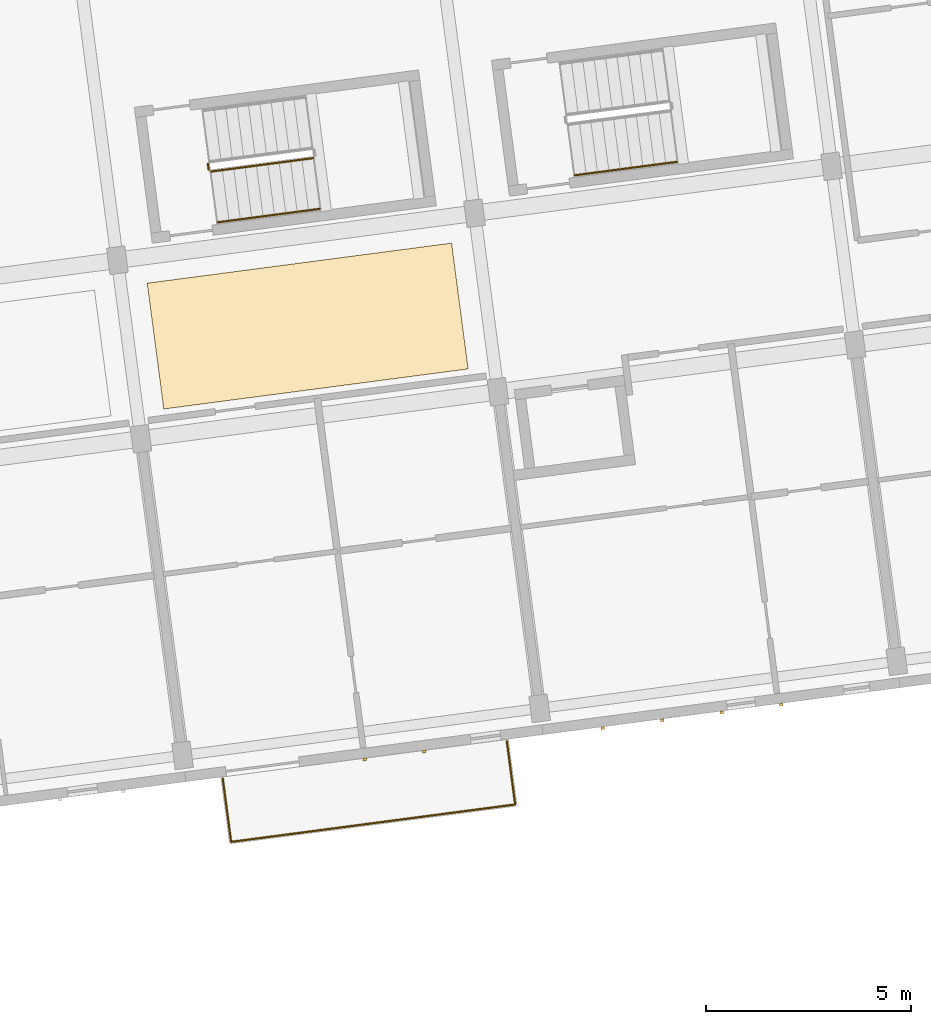
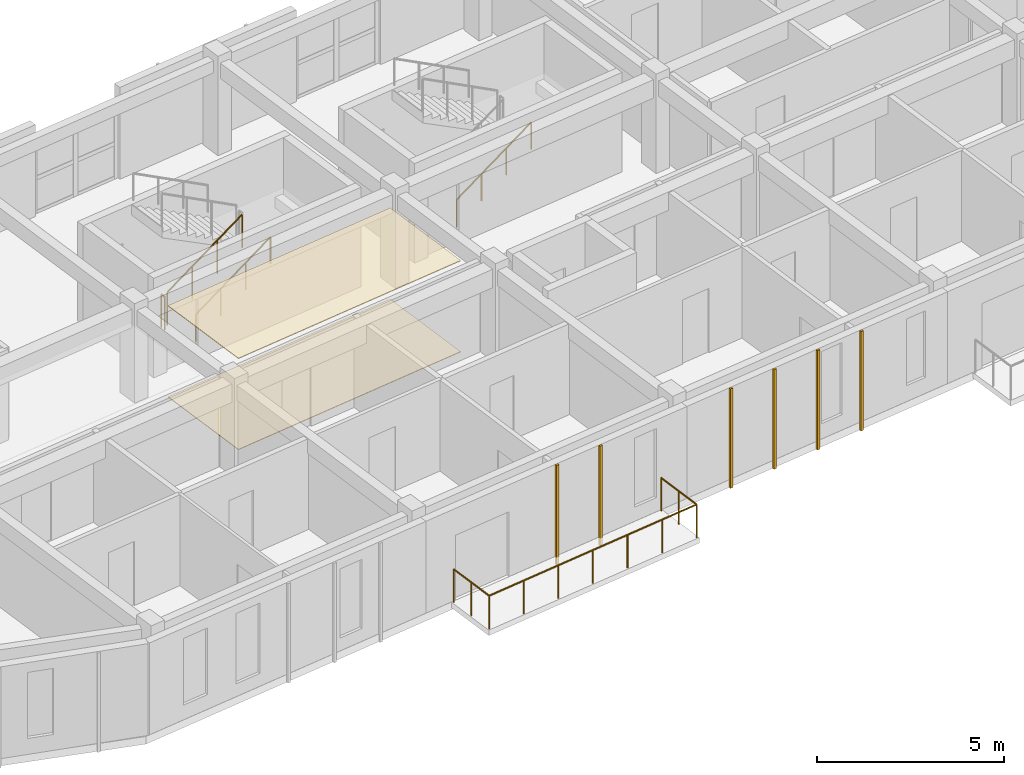
# One storey, part 32 of 45: 8 coverings, 5 railings.
"""IFC4 building model written with IfcOpenShell, lengths in metres."""

from ifc_helpers import new_model, si_unit, direction, frame, origin, origin_2d, place, context, subcontext, project, spatial, polyline, rectangle, circle, outline, extrude, material, layer, layer_set, type_object, element, save


model = new_model("IFC4")

# Units and contexts
model_context = context("Model", 3, precision=1e-05, world=origin(), true_north=direction((0.0, 1.0)))
body_context = subcontext(model_context, "Body", "Model", "MODEL_VIEW")
ifc_project = project(units=[si_unit("LENGTHUNIT", "METRE"), si_unit("AREAUNIT", "SQUARE_METRE"), si_unit("VOLUMEUNIT", "CUBIC_METRE"), si_unit("PLANEANGLEUNIT", "RADIAN"), si_unit("MASSUNIT", "GRAM", prefix="KILO")], contexts=[model_context])

# Site, building, storey
site_placement = place(None, origin())
site = spatial("IfcSite", under=ifc_project, at=site_placement, CompositionType="ELEMENT")
building_placement = place(site_placement, origin())
building = spatial("IfcBuilding", under=site, at=building_placement, Name="Kestramere Prow Commons", CompositionType="ELEMENT")
storey_placement = place(building_placement, frame((0.0, 0.0, 31.14990234375)))
storey = spatial("IfcBuildingStorey", under=building, at=storey_placement, Name="L09", CompositionType="ELEMENT", Elevation=31.14990234375)

# Coverings
ifc_material_1 = material(Name="Mineral Fibre Acoustic Ceiling Tile")
ifc_layer_1 = layer(ifc_material_1, 0.02490234375)
ifc_layer_set_1 = layer_set([ifc_layer_1], Name="Mineral Fibre Acoustic Ceiling Tile")
covering_type_1 = type_object("IfcCoveringType", Name="COV-CEIL-ACOUSTIC", PredefinedType="CEILING", material=ifc_layer_set_1)
covering_1_placement = place(storey_placement, frame((0.0, 0.0, 2.97509765625)))
element("IfcCovering", 1, at=covering_1_placement, inside=storey, type_object=covering_type_1, Name="Block A L09 Corridor Acoustic Ceiling 2", PredefinedType="CEILING", context=body_context, shape_type="SweptSolid", body=[
    extrude(outline(polyline([(19.46630859375, 81.611083984375), (26.902099609375, 82.590087890625), (26.497314453125, 85.66357421875), (19.0615234375, 84.6845703125), (19.46630859375, 81.611083984375)])), origin(), (0.0, 0.0, 1.0), 0.02490234375),
])
ifc_material_2 = material(Name="Weathered Zinc-Titanium Standing-Seam Cladding")
ifc_layer_2 = layer(ifc_material_2, 0.074951171875)
ifc_layer_set_2 = layer_set([ifc_layer_2], Name="Weathered Zinc-Titanium Standing-Seam Cladding")
covering_type_2 = type_object("IfcCoveringType", Name="COV-CLAD-SEAM", PredefinedType="CLADDING", material=ifc_layer_set_2)
for number, where, z_axis, x_axis, name in (
    (2, (25.82958984375, 73.24267578125, -0.25), (0.0, 0.0, 1.0), (-0.991444861374, -0.13052619222, 0.0), "EW-A-L09-S-1 Standing-Seam Rib 2"),
    (3, (24.37548828125, 73.05126953125, -0.25), (0.0, 0.0, 1.0), (-0.991444861374, -0.13052619222, 0.0), "EW-A-L09-S-1 Standing-Seam Rib 3"),
    (4, (34.554443359375, 74.391357421875, -0.25), (0.0, 0.0, 1.0), (-0.991444861374, -0.13052619222, 0.0), "EW-A-L09-S-2 Standing-Seam Rib 2"),
    (5, (33.100341796875, 74.199951171875, -0.25), (0.0, 0.0, 1.0), (-0.991444861374, -0.13052619222, 0.0), "EW-A-L09-S-2 Standing-Seam Rib 3"),
    (6, (31.64599609375, 74.008544921875, -0.25), (0.0, 0.0, 1.0), (-0.991444861374, -0.13052619222, 0.0), "EW-A-L09-S-2 Standing-Seam Rib 4"),
    (7, (30.19189453125, 73.81689453125, -0.25), (0.0, 0.0, 1.0), (-0.991444861374, -0.13052619222, 0.0), "EW-A-L09-S-2 Standing-Seam Rib 5"),
):
    element("IfcCovering", number, at=place(storey_placement, frame(where, z_axis=z_axis, x_axis=x_axis)), inside=storey, type_object=covering_type_2, Name=name, PredefinedType="CLADDING", context=body_context, shape_type="SweptSolid", body=[
        extrude(rectangle(XDim=0.0849609375, YDim=0.06494140625, at=origin_2d()), origin(), (0.0, 0.0, 1.0), 3.25),
    ])
ifc_material_3 = material(Name="Honed Cementitious Terrazzo Tile")
ifc_layer_3 = layer(ifc_material_3, 0.02001953125)
ifc_layer_set_3 = layer_set([ifc_layer_3], Name="Honed Cementitious Terrazzo Tile")
covering_type_3 = type_object("IfcCoveringType", Name="COV-FLOOR-TERRAZZO", PredefinedType="FLOORING", material=ifc_layer_set_3)
covering_2_placement = place(storey_placement, origin())
element("IfcCovering", 8, at=covering_2_placement, inside=storey, type_object=covering_type_3, Name="Block A L09 Corridor Terrazzo Flooring 2", PredefinedType="FLOORING", context=body_context, shape_type="SweptSolid", body=[
    extrude(outline(polyline([(19.46630859375, 81.611083984375), (26.902099609375, 82.590087890625), (26.497314453125, 85.66357421875), (19.0615234375, 84.6845703125), (19.46630859375, 81.611083984375)])), origin(), (0.0, 0.0, 1.0), 0.02001953125),
])

# Railings
ifc_material_4 = material(Name="Powder-Coated Aluminium 6063-T6", Category="aluminium")
railing_type_1 = type_object("IfcRailingType", Name="GRD-BALC-1100", PredefinedType="BALUSTRADE", material=ifc_material_4)
railing_1_placement = place(storey_placement, frame((20.906982421875, 72.58203125, 0.0)))
element("IfcRailing", 9, at=railing_1_placement, inside=storey, type_object=railing_type_1, Name="Block A L09 Balcony Guardrail 2", PredefinedType="BALUSTRADE", context=body_context, shape_type="SweptSolid", body=[
    extrude(circle(Radius=0.02392578125, at=origin_2d()), frame((0.0, 0.0, 1.076171875), z_axis=(0.130523335136, -0.991445237512, 0.0), x_axis=(0.991445237512, 0.130523335136, 0.0)), (0.0, 0.0, 1.0), 1.56005859375),
    extrude(circle(Radius=0.02392578125, at=origin_2d()), frame((0.20361328125, -1.546630859375, 1.076171875), z_axis=(0.991447052715, 0.13050954625, 0.0), x_axis=(-0.13050954625, 0.991447052715, 0.0)), (0.0, 0.0, 1.0), 7.0),
    extrude(circle(Radius=0.02392578125, at=origin_2d()), frame((7.143798828125, -0.633056640625, 1.076171875), z_axis=(-0.130523335136, 0.991445237512, 0.0), x_axis=(-0.991445237512, -0.130523335136, 0.0)), (0.0, 0.0, 1.0), 1.56005859375),
    extrude(circle(Radius=0.02099609375, at=origin_2d()), origin(), (0.0, 0.0, 1.0), 1.052001953125),
    extrude(circle(Radius=0.02099609375, at=origin_2d()), frame((0.101806640625, -0.7734375, 0.0)), (0.0, 0.0, 1.0), 1.052001953125),
    extrude(circle(Radius=0.02099609375, at=origin_2d()), frame((0.20361328125, -1.546630859375, 0.0)), (0.0, 0.0, 1.0), 1.052001953125),
    extrude(circle(Radius=0.02099609375, at=origin_2d()), frame((1.3603515625, -1.394287109375, 0.0)), (0.0, 0.0, 1.0), 1.052001953125),
    extrude(circle(Radius=0.02099609375, at=origin_2d()), frame((2.51708984375, -1.2421875, 0.0)), (0.0, 0.0, 1.0), 1.052001953125),
    extrude(circle(Radius=0.02099609375, at=origin_2d()), frame((3.673828125, -1.08984375, 0.0)), (0.0, 0.0, 1.0), 1.052001953125),
    extrude(circle(Radius=0.02099609375, at=origin_2d()), frame((4.830322265625, -0.9375, 0.0)), (0.0, 0.0, 1.0), 1.052001953125),
    extrude(circle(Radius=0.02099609375, at=origin_2d()), frame((5.987060546875, -0.785400390625, 0.0)), (0.0, 0.0, 1.0), 1.052001953125),
    extrude(circle(Radius=0.02099609375, at=origin_2d()), frame((7.143798828125, -0.633056640625, 0.0)), (0.0, 0.0, 1.0), 1.052001953125),
    extrude(circle(Radius=0.02099609375, at=origin_2d()), frame((7.0419921875, 0.14013671875, 0.0)), (0.0, 0.0, 1.0), 1.052001953125),
    extrude(circle(Radius=0.02099609375, at=origin_2d()), frame((6.940185546875, 0.91357421875, 0.0)), (0.0, 0.0, 1.0), 1.052001953125),
])
ifc_material_5 = material(Name="Galvanised Steel S275JR", Category="steel")
railing_type_2 = type_object("IfcRailingType", Name="RL-ST-GR-1100", PredefinedType="GUARDRAIL", material=ifc_material_5)
railing_2_placement = place(storey_placement, frame((20.618896484375, 87.411376953125, 0.16259765625)))
element("IfcRailing", 10, at=railing_2_placement, inside=storey, type_object=railing_type_2, Name="L09 ST-A1 stair guard 1", PredefinedType="GUARDRAIL", context=body_context, shape_type="SweptSolid", body=[
    extrude(circle(Radius=0.02392578125, at=origin_2d()), frame((0.0, 0.0, 1.076171875), z_axis=(0.85752303711, 0.112867259233, 0.501911568525), x_axis=(-0.130494608992, 0.991449018873, 0.0)), (0.0, 0.0, 1.0), 2.91357421875),
    extrude(circle(Radius=0.02099609375, at=origin_2d()), origin(), (0.0, 0.0, 1.0), 1.052001953125),
    extrude(circle(Radius=0.02099609375, at=origin_2d()), frame((0.832763671875, 0.109619140625, 0.487548828125)), (0.0, 0.0, 1.0), 1.052001953125),
    extrude(circle(Radius=0.02099609375, at=origin_2d()), frame((1.665771484375, 0.21923828125, 0.974853515625)), (0.0, 0.0, 1.0), 1.052001953125),
    extrude(circle(Radius=0.02099609375, at=origin_2d()), frame((2.49853515625, 0.328857421875, 1.46240234375)), (0.0, 0.0, 1.0), 1.052001953125),
])
railing_3_placement = place(storey_placement, frame((20.56298828125, 87.454345703125, 0.0)))
element("IfcRailing", 11, at=railing_3_placement, inside=storey, type_object=railing_type_2, Name="L09 ST-A1 stair guard 4", PredefinedType="GUARDRAIL", context=body_context, shape_type="SweptSolid", body=[
    extrude(circle(Radius=0.02392578125, at=origin_2d()), frame((0.0, 0.0, 1.076171875), z_axis=(-0.131843859112, 0.99127049629, 0.0), x_axis=(-0.99127049629, -0.131843859112, 0.0)), (0.0, 0.0, 1.0), 0.14990234375),
    extrude(circle(Radius=0.02099609375, at=origin_2d()), origin(), (0.0, 0.0, 1.0), 1.052001953125),
    extrude(circle(Radius=0.02099609375, at=origin_2d()), frame((-0.019775390625, 0.148681640625, 0.0)), (0.0, 0.0, 1.0), 1.052001953125),
])
ifc_material_6 = material(Name="Stainless Steel 304", Category="steel")
railing_type_3 = type_object("IfcRailingType", Name="RL-ST-HR-900", PredefinedType="HANDRAIL", material=ifc_material_6)
railing_4_placement = place(storey_placement, frame((20.7822265625, 86.171875, 0.3251953125)))
element("IfcRailing", 12, at=railing_4_placement, inside=storey, type_object=railing_type_3, Name="L09 ST-A1 stair handrail 1", PredefinedType="HANDRAIL", context=body_context, shape_type="SweptSolid", body=[
    extrude(circle(Radius=0.02392578125, at=origin_2d()), frame((0.0, 0.0, 0.8759765625), z_axis=(0.857492745196, 0.112958098361, 0.501942885148), x_axis=(-0.130602379397, 0.991434828164, 0.0)), (0.0, 0.0, 1.0), 2.91357421875),
    extrude(circle(Radius=0.02099609375, at=origin_2d()), origin(), (0.0, 0.0, 1.0), 0.851806640625),
    extrude(circle(Radius=0.02099609375, at=origin_2d()), frame((0.832763671875, 0.109619140625, 0.487548828125)), (0.0, 0.0, 1.0), 0.851806640625),
    extrude(circle(Radius=0.02099609375, at=origin_2d()), frame((1.66552734375, 0.219482421875, 0.974853515625)), (0.0, 0.0, 1.0), 0.851806640625),
    extrude(circle(Radius=0.02099609375, at=origin_2d()), frame((2.498291015625, 0.3291015625, 1.46240234375)), (0.0, 0.0, 1.0), 0.851806640625),
])
railing_5_placement = place(storey_placement, frame((29.5068359375, 87.320556640625, 0.3251953125)))
element("IfcRailing", 13, at=railing_5_placement, inside=storey, type_object=railing_type_3, Name="L09 ST-A2 stair handrail 1", PredefinedType="HANDRAIL", context=body_context, shape_type="SweptSolid", body=[
    extrude(circle(Radius=0.02392578125, at=origin_2d()), frame((0.0, 0.0, 0.8759765625), z_axis=(0.85752303711, 0.112867259233, 0.501911568525), x_axis=(-0.130494608992, 0.991449018873, 0.0)), (0.0, 0.0, 1.0), 2.91357421875),
    extrude(circle(Radius=0.02099609375, at=origin_2d()), origin(), (0.0, 0.0, 1.0), 0.851806640625),
    extrude(circle(Radius=0.02099609375, at=origin_2d()), frame((0.832763671875, 0.109619140625, 0.487548828125)), (0.0, 0.0, 1.0), 0.851806640625),
    extrude(circle(Radius=0.02099609375, at=origin_2d()), frame((1.665771484375, 0.21923828125, 0.974853515625)), (0.0, 0.0, 1.0), 0.851806640625),
    extrude(circle(Radius=0.02099609375, at=origin_2d()), frame((2.49853515625, 0.328857421875, 1.46240234375)), (0.0, 0.0, 1.0), 0.851806640625),
])

save(model, "model.ifc")
